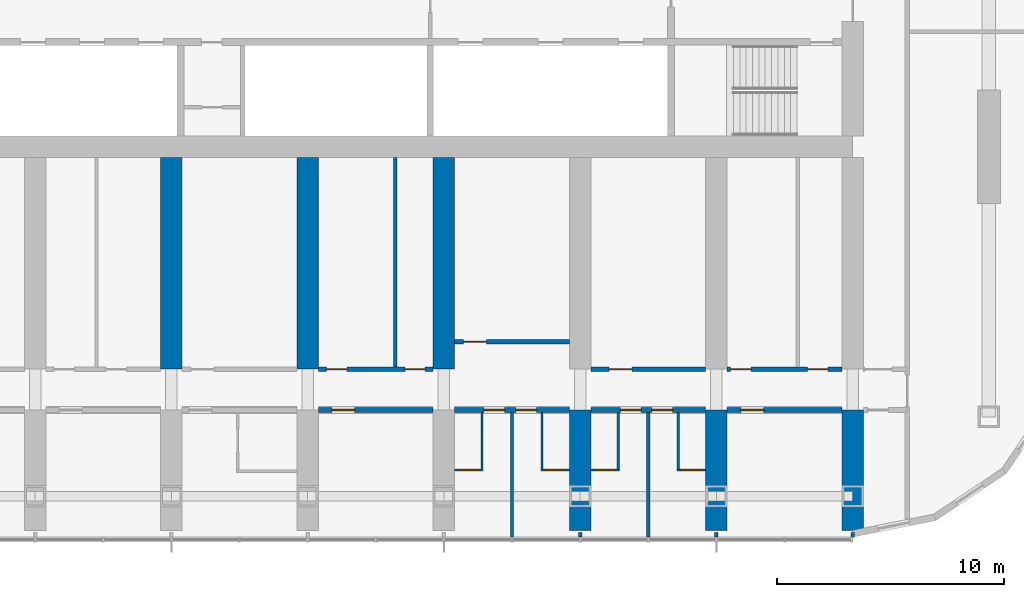
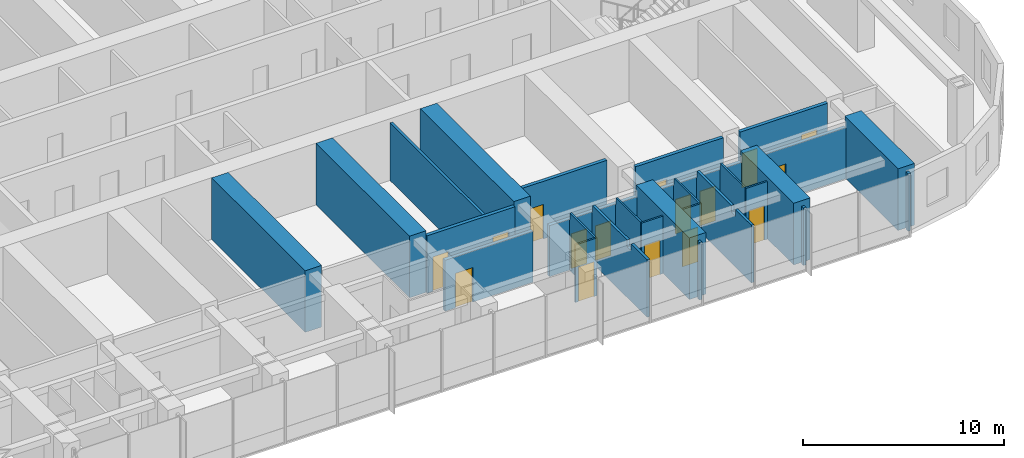
# One storey, part 10 of 21: 28 walls, 16 doors, 16 openings.
"""IFC4 building model written with IfcOpenShell, lengths in metres."""

from ifc_helpers import new_model, si_unit, direction, frame, frame_2d, origin, place, context, subcontext, project, spatial, polyline, rectangle, outline, extrude, material, layer, layer_set, type_object, element, fill, save


model = new_model("IFC4")

# Units and contexts
model_context = context("Model", 3, precision=1e-05, world=origin(), true_north=direction((0.0, 1.0)))
body_context = subcontext(model_context, "Body", "Model", "MODEL_VIEW")
ifc_project = project(units=[si_unit("LENGTHUNIT", "METRE"), si_unit("AREAUNIT", "SQUARE_METRE"), si_unit("VOLUMEUNIT", "CUBIC_METRE"), si_unit("PLANEANGLEUNIT", "RADIAN"), si_unit("MASSUNIT", "GRAM", prefix="KILO")], contexts=[model_context])

# Site, building, storey
site_placement = place(None, origin())
site = spatial("IfcSite", under=ifc_project, at=site_placement, CompositionType="ELEMENT")
building_placement = place(site_placement, origin())
building = spatial("IfcBuilding", under=site, at=building_placement, Name="Orbita Commons", CompositionType="ELEMENT")
storey_placement = place(building_placement, frame((0.0, 0.0, 125.64990234375)))
storey = spatial("IfcBuildingStorey", under=building, at=storey_placement, Name="L31", CompositionType="ELEMENT", Elevation=125.64990234375)

# Wall, opening, door
ifc_material_1 = material(Name="Concrete blockwork", Category="masonry")
ifc_layer_1 = layer(ifc_material_1, 0.199951171875)
ifc_layer_set_1 = layer_set([ifc_layer_1], Name="Concrete blockwork")
wall_type_1 = type_object("IfcWallType", Name="Corridor wall 200 blockwork", PredefinedType="SOLIDWALL", material=ifc_layer_set_1)
wall_1_placement = place(storey_placement, frame((42.47509765625, 14.199951171875, 0.0), z_axis=(0.0, 0.0, 1.0), x_axis=(1.0, 0.0, 0.0)))
wall_1 = element("IfcWall", 1, at=wall_1_placement, inside=storey, type_object=wall_type_1, Name="Corridor wall 200 blockwork L31", PredefinedType="SOLIDWALL", context=body_context, shape_type="SweptSolid", body=[
    extrude(outline(polyline([(0.0, 0.0), (5.0498046875, 0.0), (5.050048828125, 3.10009765625), (0.0, 3.10009765625), (0.0, 0.0)])), frame((0.0, 0.10009765625, 0.0), z_axis=(0.0, -1.0, 0.0), x_axis=(1.0, 0.0, 0.0)), (0.0, 0.0, 1.0), 0.199951171875),
])
opening_1_placement = place(wall_1_placement, frame((0.60009765625, 0.0, 0.0)))
opening_1 = element("IfcOpeningElement", 2, at=opening_1_placement, cuts=wall_1, Name="Opening D06", PredefinedType="OPENING", context=body_context, shape_type="SweptSolid", body=[
    extrude(rectangle(XDim=1.0, YDim=2.10009765625, at=frame_2d((0.5, 1.050048828125))), frame((0.0, 0.10986328125, 0.0), z_axis=(0.0, -1.0, 0.0), x_axis=(1.0, 0.0, 0.0)), (0.0, 0.0, 1.0), 0.219970703125),
])
ifc_material_2 = material(Name="Steel-faced fire door leaf", Category="steel")
door_type_1 = type_object("IfcDoorType", Name="Corridor door 20 min 1000x2100", OperationType="SINGLE_SWING_LEFT", PredefinedType="DOOR", material=ifc_material_2)
door_1_placement = place(opening_1_placement, origin())
door_1 = element("IfcDoor", 3, at=door_1_placement, inside=storey, type_object=door_type_1, Name="Mountain-view lounge L31-S10 door", OperationType="SINGLE_SWING_LEFT", OverallHeight=2.10009765625, OverallWidth=1.0, PredefinedType="DOOR", context=body_context, shape_type="SweptSolid", body=[
    extrude(rectangle(XDim=1.0, YDim=2.10009765625, at=frame_2d((0.5, 1.050048828125))), frame((0.0, 0.02490234375, 0.0), z_axis=(0.0, -1.0, 0.0), x_axis=(1.0, 0.0, 0.0)), (0.0, 0.0, 1.0), 0.050048828125),
])
fill(opening_1, door_1)

# Wall, openings, doors
wall_2_placement = place(storey_placement, frame((48.47509765625, 14.199951171875, 0.0), z_axis=(0.0, 0.0, 1.0), x_axis=(1.0, 0.0, 0.0)))
wall_2 = element("IfcWall", 4, at=wall_2_placement, inside=storey, type_object=wall_type_1, Name="Corridor wall 200 blockwork L31", PredefinedType="SOLIDWALL", context=body_context, shape_type="SweptSolid", body=[
    extrude(outline(polyline([(0.0, 0.0), (5.0498046875, 0.0), (5.050048828125, 3.10009765625), (0.0, 3.10009765625), (0.0, 0.0)])), frame((0.0, 0.10009765625, 0.0), z_axis=(0.0, -1.0, 0.0), x_axis=(1.0, 0.0, 0.0)), (0.0, 0.0, 1.0), 0.199951171875),
])
opening_2_placement = place(wall_2_placement, frame((1.300048828125, 0.0, 0.0)))
opening_2 = element("IfcOpeningElement", 5, at=opening_2_placement, cuts=wall_2, Name="Opening D11", PredefinedType="OPENING", context=body_context, shape_type="SweptSolid", body=[
    extrude(rectangle(XDim=0.89990234375, YDim=2.10009765625, at=frame_2d((0.449951171875, 1.050048828125))), frame((0.0, 0.10986328125, 0.0), z_axis=(0.0, -1.0, 0.0), x_axis=(1.0, 0.0, 0.0)), (0.0, 0.0, 1.0), 0.219970703125),
])
opening_3_placement = place(wall_2_placement, frame((2.699951171875, 0.0, 0.0)))
opening_3 = element("IfcOpeningElement", 6, at=opening_3_placement, cuts=wall_2, Name="Opening D11", PredefinedType="OPENING", context=body_context, shape_type="SweptSolid", body=[
    extrude(rectangle(XDim=0.89990234375, YDim=2.10009765625, at=frame_2d((0.449951171875, 1.050048828125))), frame((0.0, 0.10986328125, 0.0), z_axis=(0.0, -1.0, 0.0), x_axis=(1.0, 0.0, 0.0)), (0.0, 0.0, 1.0), 0.219970703125),
])
ifc_material_3 = material(Name="Steel-faced fire door leaf", Category="steel")
door_type_2 = type_object("IfcDoorType", Name="Corridor door 20 min 900x2100", OperationType="SINGLE_SWING_LEFT", PredefinedType="DOOR", material=ifc_material_3)
door_2_placement = place(opening_2_placement, origin())
door_2 = element("IfcDoor", 7, at=door_2_placement, inside=storey, type_object=door_type_2, Name="Cluster bedroom L31-S12 door", OperationType="SINGLE_SWING_LEFT", OverallHeight=2.10009765625, OverallWidth=0.89990234375, PredefinedType="DOOR", context=body_context, shape_type="SweptSolid", body=[
    extrude(rectangle(XDim=0.89990234375, YDim=2.10009765625, at=frame_2d((0.449951171875, 1.050048828125))), frame((0.0, 0.02490234375, 0.0), z_axis=(0.0, -1.0, 0.0), x_axis=(1.0, 0.0, 0.0)), (0.0, 0.0, 1.0), 0.050048828125),
])
fill(opening_2, door_2)
door_3_placement = place(opening_3_placement, origin())
door_3 = element("IfcDoor", 8, at=door_3_placement, inside=storey, type_object=door_type_2, Name="Cluster bedroom L31-S13 door", OperationType="SINGLE_SWING_LEFT", OverallHeight=2.10009765625, OverallWidth=0.89990234375, PredefinedType="DOOR", context=body_context, shape_type="SweptSolid", body=[
    extrude(rectangle(XDim=0.89990234375, YDim=2.10009765625, at=frame_2d((0.449951171875, 1.050048828125))), frame((0.0, 0.02490234375, 0.0), z_axis=(0.0, -1.0, 0.0), x_axis=(1.0, 0.0, 0.0)), (0.0, 0.0, 1.0), 0.050048828125),
])
fill(opening_3, door_3)

wall_3_placement = place(storey_placement, frame((54.47509765625, 14.199951171875, 0.0), z_axis=(0.0, 0.0, 1.0), x_axis=(1.0, 0.0, 0.0)))
wall_3 = element("IfcWall", 9, at=wall_3_placement, inside=storey, type_object=wall_type_1, Name="Corridor wall 200 blockwork L31", PredefinedType="SOLIDWALL", context=body_context, shape_type="SweptSolid", body=[
    extrude(outline(polyline([(0.0, 0.0), (5.0498046875, 0.0), (5.050048828125, 3.10009765625), (0.0, 3.10009765625), (0.0, 0.0)])), frame((0.0, 0.10009765625, 0.0), z_axis=(0.0, -1.0, 0.0), x_axis=(1.0, 0.0, 0.0)), (0.0, 0.0, 1.0), 0.199951171875),
])
opening_4_placement = place(wall_3_placement, frame((1.300048828125, 0.0, 0.0)))
opening_4 = element("IfcOpeningElement", 10, at=opening_4_placement, cuts=wall_3, Name="Opening D11", PredefinedType="OPENING", context=body_context, shape_type="SweptSolid", body=[
    extrude(rectangle(XDim=0.89990234375, YDim=2.10009765625, at=frame_2d((0.449951171875, 1.050048828125))), frame((0.0, 0.10986328125, 0.0), z_axis=(0.0, -1.0, 0.0), x_axis=(1.0, 0.0, 0.0)), (0.0, 0.0, 1.0), 0.219970703125),
])
opening_5_placement = place(wall_3_placement, frame((2.699951171875, 0.0, 0.0)))
opening_5 = element("IfcOpeningElement", 11, at=opening_5_placement, cuts=wall_3, Name="Opening D11", PredefinedType="OPENING", context=body_context, shape_type="SweptSolid", body=[
    extrude(rectangle(XDim=0.89990234375, YDim=2.10009765625, at=frame_2d((0.449951171875, 1.050048828125))), frame((0.0, 0.10986328125, 0.0), z_axis=(0.0, -1.0, 0.0), x_axis=(1.0, 0.0, 0.0)), (0.0, 0.0, 1.0), 0.219970703125),
])
door_4_placement = place(opening_4_placement, origin())
door_4 = element("IfcDoor", 12, at=door_4_placement, inside=storey, type_object=door_type_2, Name="Cluster bedroom L31-S14 door", OperationType="SINGLE_SWING_LEFT", OverallHeight=2.10009765625, OverallWidth=0.89990234375, PredefinedType="DOOR", context=body_context, shape_type="SweptSolid", body=[
    extrude(rectangle(XDim=0.89990234375, YDim=2.10009765625, at=frame_2d((0.449951171875, 1.050048828125))), frame((0.0, 0.02490234375, 0.0), z_axis=(0.0, -1.0, 0.0), x_axis=(1.0, 0.0, 0.0)), (0.0, 0.0, 1.0), 0.050048828125),
])
fill(opening_4, door_4)
door_5_placement = place(opening_5_placement, origin())
door_5 = element("IfcDoor", 13, at=door_5_placement, inside=storey, type_object=door_type_2, Name="Cluster bedroom L31-S15 door", OperationType="SINGLE_SWING_LEFT", OverallHeight=2.10009765625, OverallWidth=0.89990234375, PredefinedType="DOOR", context=body_context, shape_type="SweptSolid", body=[
    extrude(rectangle(XDim=0.89990234375, YDim=2.10009765625, at=frame_2d((0.449951171875, 1.050048828125))), frame((0.0, 0.02490234375, 0.0), z_axis=(0.0, -1.0, 0.0), x_axis=(1.0, 0.0, 0.0)), (0.0, 0.0, 1.0), 0.050048828125),
])
fill(opening_5, door_5)

# Wall, opening, door
wall_4_placement = place(storey_placement, frame((60.47509765625, 14.199951171875, 0.0), z_axis=(0.0, 0.0, 1.0), x_axis=(1.0, 0.0, 0.0)))
wall_4 = element("IfcWall", 14, at=wall_4_placement, inside=storey, type_object=wall_type_1, Name="Corridor wall 200 blockwork L31", PredefinedType="SOLIDWALL", context=body_context, shape_type="SweptSolid", body=[
    extrude(outline(polyline([(0.0, 0.0), (5.0498046875, 0.0), (5.050048828125, 3.10009765625), (0.0, 3.10009765625), (0.0, 0.0)])), frame((0.0, 0.10009765625, 0.0), z_axis=(0.0, -1.0, 0.0), x_axis=(1.0, 0.0, 0.0)), (0.0, 0.0, 1.0), 0.199951171875),
])
opening_6_placement = place(wall_4_placement, frame((0.60009765625, 0.0, 0.0)))
opening_6 = element("IfcOpeningElement", 15, at=opening_6_placement, cuts=wall_4, Name="Opening D06", PredefinedType="OPENING", context=body_context, shape_type="SweptSolid", body=[
    extrude(rectangle(XDim=1.0, YDim=2.10009765625, at=frame_2d((0.5, 1.050048828125))), frame((0.0, 0.10986328125, 0.0), z_axis=(0.0, -1.0, 0.0), x_axis=(1.0, 0.0, 0.0)), (0.0, 0.0, 1.0), 0.219970703125),
])
door_6_placement = place(opening_6_placement, origin())
door_6 = element("IfcDoor", 16, at=door_6_placement, inside=storey, type_object=door_type_1, Name="Cluster kitchen-diner L31-S16 door", OperationType="SINGLE_SWING_LEFT", OverallHeight=2.10009765625, OverallWidth=1.0, PredefinedType="DOOR", context=body_context, shape_type="SweptSolid", body=[
    extrude(rectangle(XDim=1.0, YDim=2.10009765625, at=frame_2d((0.5, 1.050048828125))), frame((0.0, 0.02490234375, 0.0), z_axis=(0.0, -1.0, 0.0), x_axis=(1.0, 0.0, 0.0)), (0.0, 0.0, 1.0), 0.050048828125),
])
fill(opening_6, door_6)

# Wall, openings, doors
ifc_material_4 = material(Name="Hollow concrete block 200", Category="concrete")
ifc_layer_2 = layer(ifc_material_4, 0.199951171875)
ifc_layer_set_2 = layer_set([ifc_layer_2], Name="Hollow concrete block 200")
wall_type_2 = type_object("IfcWallType", Name="Corridor wall 200 hollow concrete block", PredefinedType="SOLIDWALL", material=ifc_layer_set_2)
wall_5_placement = place(storey_placement, frame((42.47509765625, 16.0, 0.0), z_axis=(0.0, 0.0, 1.0), x_axis=(1.0, 0.0, 0.0)))
wall_5 = element("IfcWall", 17, at=wall_5_placement, inside=storey, type_object=wall_type_2, Name="Corridor wall 200 hollow concrete block L31", PredefinedType="SOLIDWALL", context=body_context, shape_type="SweptSolid", body=[
    extrude(rectangle(XDim=5.0498046875, YDim=0.199951171875, at=frame_2d((2.52490234375, 0.0))), origin(), (0.0, 0.0, 1.0), 3.5),
])
opening_7_placement = place(wall_5_placement, frame((0.35009765625, 0.0, 0.0)))
opening_7 = element("IfcOpeningElement", 18, at=opening_7_placement, cuts=wall_5, Name="Opening D11", PredefinedType="OPENING", context=body_context, shape_type="SweptSolid", body=[
    extrude(rectangle(XDim=0.89990234375, YDim=2.10009765625, at=frame_2d((0.449951171875, 1.050048828125))), frame((0.0, 0.10986328125, 0.0), z_axis=(0.0, -1.0, 0.0), x_axis=(1.0, 0.0, 0.0)), (0.0, 0.0, 1.0), 0.219970703125),
])
opening_8_placement = place(wall_5_placement, frame((3.804931640625, 0.0, 0.0)))
opening_8 = element("IfcOpeningElement", 19, at=opening_8_placement, cuts=wall_5, Name="Opening D11", PredefinedType="OPENING", context=body_context, shape_type="SweptSolid", body=[
    extrude(rectangle(XDim=0.89990234375, YDim=2.10009765625, at=frame_2d((0.449951171875, 1.050048828125))), frame((0.0, 0.10986328125, 0.0), z_axis=(0.0, -1.0, 0.0), x_axis=(1.0, 0.0, 0.0)), (0.0, 0.0, 1.0), 0.219970703125),
])
door_7_placement = place(opening_7_placement, origin())
door_7 = element("IfcDoor", 20, at=door_7_placement, inside=storey, type_object=door_type_2, Name="Meeting room L31-BDS42 door", OperationType="SINGLE_SWING_LEFT", OverallHeight=2.10009765625, OverallWidth=0.89990234375, PredefinedType="DOOR", context=body_context, shape_type="SweptSolid", body=[
    extrude(rectangle(XDim=0.89990234375, YDim=2.10009765625, at=frame_2d((0.449951171875, 1.050048828125))), frame((0.0, 0.02490234375, 0.0), z_axis=(0.0, -1.0, 0.0), x_axis=(1.0, 0.0, 0.0)), (0.0, 0.0, 1.0), 0.050048828125),
])
fill(opening_7, door_7)
door_8_placement = place(opening_8_placement, origin())
door_8 = element("IfcDoor", 21, at=door_8_placement, inside=storey, type_object=door_type_2, Name="Water heater cupboard L31-BDS42n door", OperationType="SINGLE_SWING_LEFT", OverallHeight=2.10009765625, OverallWidth=0.89990234375, PredefinedType="DOOR", context=body_context, shape_type="SweptSolid", body=[
    extrude(rectangle(XDim=0.89990234375, YDim=2.10009765625, at=frame_2d((0.449951171875, 1.050048828125))), frame((0.0, 0.02490234375, 0.0), z_axis=(0.0, -1.0, 0.0), x_axis=(1.0, 0.0, 0.0)), (0.0, 0.0, 1.0), 0.050048828125),
])
fill(opening_8, door_8)

# Wall, opening, door
wall_6_placement = place(storey_placement, frame((54.47509765625, 16.0, 0.0), z_axis=(0.0, 0.0, 1.0), x_axis=(1.0, 0.0, 0.0)))
wall_6 = element("IfcWall", 22, at=wall_6_placement, inside=storey, type_object=wall_type_2, Name="Corridor wall 200 hollow concrete block L31", PredefinedType="SOLIDWALL", context=body_context, shape_type="SweptSolid", body=[
    extrude(rectangle(XDim=5.0498046875, YDim=0.199951171875, at=frame_2d((2.52490234375, 0.0))), origin(), (0.0, 0.0, 1.0), 3.5),
])
opening_9_placement = place(wall_6_placement, frame((0.800048828125, 0.0, 0.0)))
opening_9 = element("IfcOpeningElement", 23, at=opening_9_placement, cuts=wall_6, Name="Opening D06", PredefinedType="OPENING", context=body_context, shape_type="SweptSolid", body=[
    extrude(rectangle(XDim=1.0, YDim=2.10009765625, at=frame_2d((0.5, 1.050048828125))), frame((0.0, 0.10986328125, 0.0), z_axis=(0.0, -1.0, 0.0), x_axis=(1.0, 0.0, 0.0)), (0.0, 0.0, 1.0), 0.219970703125),
])
door_9_placement = place(opening_9_placement, origin())
door_9 = element("IfcDoor", 24, at=door_9_placement, inside=storey, type_object=door_type_1, Name="Cluster pantry L31-BDS54 door", OperationType="SINGLE_SWING_LEFT", OverallHeight=2.10009765625, OverallWidth=1.0, PredefinedType="DOOR", context=body_context, shape_type="SweptSolid", body=[
    extrude(rectangle(XDim=1.0, YDim=2.10009765625, at=frame_2d((0.5, 1.050048828125))), frame((0.0, 0.02490234375, 0.0), z_axis=(0.0, -1.0, 0.0), x_axis=(1.0, 0.0, 0.0)), (0.0, 0.0, 1.0), 0.050048828125),
])
fill(opening_9, door_9)

# Wall, openings, doors
wall_7_placement = place(storey_placement, frame((60.47509765625, 16.0, 0.0), z_axis=(0.0, 0.0, 1.0), x_axis=(1.0, 0.0, 0.0)))
wall_7 = element("IfcWall", 25, at=wall_7_placement, inside=storey, type_object=wall_type_2, Name="Corridor wall 200 hollow concrete block L31", PredefinedType="SOLIDWALL", context=body_context, shape_type="SweptSolid", body=[
    extrude(rectangle(XDim=5.0498046875, YDim=0.199951171875, at=frame_2d((2.52490234375, 0.0))), origin(), (0.0, 0.0, 1.0), 3.5),
])
opening_10_placement = place(wall_7_placement, frame((0.14990234375, 0.0, 0.0)))
opening_10 = element("IfcOpeningElement", 26, at=opening_10_placement, cuts=wall_7, Name="Opening D11", PredefinedType="OPENING", context=body_context, shape_type="SweptSolid", body=[
    extrude(rectangle(XDim=0.89990234375, YDim=2.10009765625, at=frame_2d((0.449951171875, 1.050048828125))), frame((0.0, 0.10986328125, 0.0), z_axis=(0.0, -1.0, 0.0), x_axis=(1.0, 0.0, 0.0)), (0.0, 0.0, 1.0), 0.219970703125),
])
opening_11_placement = place(wall_7_placement, frame((3.534912109375, 0.0, 0.0)))
opening_11 = element("IfcOpeningElement", 27, at=opening_11_placement, cuts=wall_7, Name="Opening D11", PredefinedType="OPENING", context=body_context, shape_type="SweptSolid", body=[
    extrude(rectangle(XDim=0.89990234375, YDim=2.10009765625, at=frame_2d((0.449951171875, 1.050048828125))), frame((0.0, 0.10986328125, 0.0), z_axis=(0.0, -1.0, 0.0), x_axis=(1.0, 0.0, 0.0)), (0.0, 0.0, 1.0), 0.219970703125),
])
door_10_placement = place(opening_10_placement, origin())
door_10 = element("IfcDoor", 28, at=door_10_placement, inside=storey, type_object=door_type_2, Name="IT and print room L31-BDS60 door", OperationType="SINGLE_SWING_LEFT", OverallHeight=2.10009765625, OverallWidth=0.89990234375, PredefinedType="DOOR", context=body_context, shape_type="SweptSolid", body=[
    extrude(rectangle(XDim=0.89990234375, YDim=2.10009765625, at=frame_2d((0.449951171875, 1.050048828125))), frame((0.0, 0.02490234375, 0.0), z_axis=(0.0, -1.0, 0.0), x_axis=(1.0, 0.0, 0.0)), (0.0, 0.0, 1.0), 0.050048828125),
])
fill(opening_10, door_10)
door_11_placement = place(opening_11_placement, origin())
door_11 = element("IfcDoor", 29, at=door_11_placement, inside=storey, type_object=door_type_2, Name="Battery and UPS room L31-BDS60n door", OperationType="SINGLE_SWING_LEFT", OverallHeight=2.10009765625, OverallWidth=0.89990234375, PredefinedType="DOOR", context=body_context, shape_type="SweptSolid", body=[
    extrude(rectangle(XDim=0.89990234375, YDim=2.10009765625, at=frame_2d((0.449951171875, 1.050048828125))), frame((0.0, 0.02490234375, 0.0), z_axis=(0.0, -1.0, 0.0), x_axis=(1.0, 0.0, 0.0)), (0.0, 0.0, 1.0), 0.050048828125),
])
fill(opening_11, door_11)

# Wall, opening, door
wall_8_placement = place(storey_placement, frame((48.47509765625, 17.199951171875, 0.0), z_axis=(0.0, 0.0, 1.0), x_axis=(1.0, 0.0, 0.0)))
wall_8 = element("IfcWall", 30, at=wall_8_placement, inside=storey, type_object=wall_type_2, Name="Corridor wall 200 hollow concrete block L31", PredefinedType="SOLIDWALL", context=body_context, shape_type="SweptSolid", body=[
    extrude(rectangle(XDim=5.0498046875, YDim=0.199951171875, at=frame_2d((2.52490234375, 0.0))), origin(), (0.0, 0.0, 1.0), 3.5),
])
opening_12_placement = place(wall_8_placement, frame((0.39990234375, 0.0, 0.0)))
opening_12 = element("IfcOpeningElement", 31, at=opening_12_placement, cuts=wall_8, Name="Opening D06", PredefinedType="OPENING", context=body_context, shape_type="SweptSolid", body=[
    extrude(rectangle(XDim=1.0, YDim=2.10009765625, at=frame_2d((0.5, 1.050048828125))), frame((0.0, 0.10986328125, 0.0), z_axis=(0.0, -1.0, 0.0), x_axis=(1.0, 0.0, 0.0)), (0.0, 0.0, 1.0), 0.219970703125),
])
door_12_placement = place(opening_12_placement, origin())
door_12 = element("IfcDoor", 32, at=door_12_placement, inside=storey, type_object=door_type_1, Name="Drying room L31-BDS48 door", OperationType="SINGLE_SWING_LEFT", OverallHeight=2.10009765625, OverallWidth=1.0, PredefinedType="DOOR", context=body_context, shape_type="SweptSolid", body=[
    extrude(rectangle(XDim=1.0, YDim=2.10009765625, at=frame_2d((0.5, 1.050048828125))), frame((0.0, 0.02490234375, 0.0), z_axis=(0.0, -1.0, 0.0), x_axis=(1.0, 0.0, 0.0)), (0.0, 0.0, 1.0), 0.050048828125),
])
fill(opening_12, door_12)

# Walls
ifc_material_5 = material(Name="Concrete C50/60", Category="concrete")
ifc_layer_3 = layer(ifc_material_5, 0.949951171875)
ifc_layer_set_3 = layer_set([ifc_layer_3], Name="Concrete C50/60")
wall_type_3 = type_object("IfcWallType", Name="Cross wall 950 C50/60", PredefinedType="SHEAR", material=ifc_layer_set_3)
for number, where, z_axis, x_axis, name in (
    (33, (36.0, 16.0, 0.0), (0.0, 0.0, 1.0), (0.0, 1.0, 0.0), "Cross wall 7 south inner L31"),
    (34, (42.0, 16.0, 0.0), (0.0, 0.0, 1.0), (0.0, 1.0, 0.0), "Cross wall 8 south inner L31"),
    (35, (48.0, 16.0, 0.0), (0.0, 0.0, 1.0), (0.0, 1.0, 0.0), "Cross wall 9 south inner L31"),
):
    element("IfcWall", number, at=place(storey_placement, frame(where, z_axis=z_axis, x_axis=x_axis)), inside=storey, type_object=wall_type_3, Name=name, PredefinedType="SHEAR", context=body_context, shape_type="SweptSolid", body=[
        extrude(rectangle(XDim=9.324951171875, YDim=0.949951171875, at=frame_2d((4.66259765625, 0.0))), origin(), (0.0, 0.0, 1.0), 3.75),
    ])
for number, where, z_axis, x_axis, name in (
    (36, (54.0, 8.89990234375, 0.0), (0.0, 0.0, 1.0), (0.0, 1.0, 0.0), "Cross wall 10 south outer L31"),
    (37, (60.0, 8.89990234375, 0.0), (0.0, 0.0, 1.0), (0.0, 1.0, 0.0), "Cross wall 11 south outer L31"),
    (38, (66.0, 8.89990234375, 0.0), (0.0, 0.0, 1.0), (0.0, 1.0, 0.0), "Cross wall 12 south outer L31"),
):
    element("IfcWall", number, at=place(storey_placement, frame(where, z_axis=z_axis, x_axis=x_axis)), inside=storey, type_object=wall_type_3, Name=name, PredefinedType="SHEAR", context=body_context, shape_type="SweptSolid", body=[
        extrude(rectangle(XDim=5.300048828125, YDim=0.949951171875, at=frame_2d((2.64990234375, 0.0))), origin(), (0.0, 0.0, 1.0), 3.75),
    ])

# Wall, opening, door
ifc_material_6 = material(Name="Moisture-resistant plasterboard on steel studs", Category="steel")
ifc_layer_4 = layer(ifc_material_6, 0.10009765625)
ifc_layer_set_4 = layer_set([ifc_layer_4], Name="Moisture-resistant plasterboard on steel studs")
wall_type_4 = type_object("IfcWallType", Name="En-suite partition 100", PredefinedType="PARTITIONING", material=ifc_layer_set_4)
wall_9_placement = place(storey_placement, frame((49.72509765625, 11.558349609375, 0.0), z_axis=(0.0, 0.0, 1.0), x_axis=(-1.0, 0.0, 0.0)))
wall_9 = element("IfcWall", 39, at=wall_9_placement, inside=storey, type_object=wall_type_4, Name="En-suite partition 100 L31", PredefinedType="PARTITIONING", context=body_context, shape_type="SweptSolid", body=[
    extrude(rectangle(XDim=1.25, YDim=0.10009765625, at=frame_2d((0.625, 0.0))), origin(), (0.0, 0.0, 1.0), 3.5),
])
opening_13_placement = place(wall_9_placement, frame((0.175048828125, 0.0, 0.0)))
opening_13 = element("IfcOpeningElement", 40, at=opening_13_placement, cuts=wall_9, Name="Opening D09", PredefinedType="OPENING", context=body_context, shape_type="SweptSolid", body=[
    extrude(rectangle(XDim=0.89990234375, YDim=2.10009765625, at=frame_2d((0.449951171875, 1.050048828125))), frame((0.0, 0.06005859375, 0.0), z_axis=(0.0, -1.0, 0.0), x_axis=(1.0, 0.0, 0.0)), (0.0, 0.0, 1.0), 0.1201171875),
])
ifc_material_7 = material(Name="Laminated timber door leaf", Category="wood")
door_type_3 = type_object("IfcDoorType", Name="En-suite door 900x2100", OperationType="SINGLE_SWING_RIGHT", PredefinedType="DOOR", material=ifc_material_7)
door_13_placement = place(opening_13_placement, origin())
door_13 = element("IfcDoor", 41, at=door_13_placement, inside=storey, type_object=door_type_3, Name="En-suite L31-S12 door", OperationType="SINGLE_SWING_RIGHT", OverallHeight=2.10009765625, OverallWidth=0.89990234375, PredefinedType="DOOR", context=body_context, shape_type="SweptSolid", body=[
    extrude(rectangle(XDim=0.89990234375, YDim=2.10009765625, at=frame_2d((0.449951171875, 1.050048828125))), frame((0.0, 0.02490234375, 0.0), z_axis=(0.0, -1.0, 0.0), x_axis=(1.0, 0.0, 0.0)), (0.0, 0.0, 1.0), 0.050048828125),
])
fill(opening_13, door_13)

# Wall
wall_10_placement = place(storey_placement, frame((49.675048828125, 11.6083984375, 0.0), z_axis=(0.0, 0.0, 1.0), x_axis=(0.0, 1.0, 0.0)))
element("IfcWall", 42, at=wall_10_placement, inside=storey, type_object=wall_type_4, Name="En-suite partition 100 L31", PredefinedType="PARTITIONING", context=body_context, shape_type="SweptSolid", body=[
    extrude(outline(polyline([(0.0, 0.0), (2.49169921875, 0.0), (2.49169921875, 3.10009765625), (2.443603515625, 3.10009765625), (2.441650390625, 3.5), (0.0, 3.5), (0.0, 0.0)])), frame((0.0, 0.050048828125, 0.0), z_axis=(0.0, -1.0, 0.0), x_axis=(1.0, 0.0, 0.0)), (0.0, 0.0, 1.0), 0.10009765625),
])

# Wall, opening, door
wall_11_placement = place(storey_placement, frame((53.52490234375, 11.558349609375, 0.0), z_axis=(0.0, 0.0, 1.0), x_axis=(-1.0, 0.0, 0.0)))
wall_11 = element("IfcWall", 43, at=wall_11_placement, inside=storey, type_object=wall_type_4, Name="En-suite partition 100 L31", PredefinedType="PARTITIONING", context=body_context, shape_type="SweptSolid", body=[
    extrude(rectangle(XDim=1.25, YDim=0.10009765625, at=frame_2d((0.625, 0.0))), origin(), (0.0, 0.0, 1.0), 3.5),
])
opening_14_placement = place(wall_11_placement, frame((0.175048828125, 0.0, 0.0)))
opening_14 = element("IfcOpeningElement", 44, at=opening_14_placement, cuts=wall_11, Name="Opening D09", PredefinedType="OPENING", context=body_context, shape_type="SweptSolid", body=[
    extrude(rectangle(XDim=0.89990234375, YDim=2.10009765625, at=frame_2d((0.449951171875, 1.050048828125))), frame((0.0, 0.06005859375, 0.0), z_axis=(0.0, -1.0, 0.0), x_axis=(1.0, 0.0, 0.0)), (0.0, 0.0, 1.0), 0.1201171875),
])
door_14_placement = place(opening_14_placement, origin())
door_14 = element("IfcDoor", 45, at=door_14_placement, inside=storey, type_object=door_type_3, Name="En-suite L31-S13 door", OperationType="SINGLE_SWING_RIGHT", OverallHeight=2.10009765625, OverallWidth=0.89990234375, PredefinedType="DOOR", context=body_context, shape_type="SweptSolid", body=[
    extrude(rectangle(XDim=0.89990234375, YDim=2.10009765625, at=frame_2d((0.449951171875, 1.050048828125))), frame((0.0, 0.02490234375, 0.0), z_axis=(0.0, -1.0, 0.0), x_axis=(1.0, 0.0, 0.0)), (0.0, 0.0, 1.0), 0.050048828125),
])
fill(opening_14, door_14)

# Wall
wall_12_placement = place(storey_placement, frame((52.324951171875, 11.6083984375, 0.0), z_axis=(0.0, 0.0, 1.0), x_axis=(0.0, 1.0, 0.0)))
element("IfcWall", 46, at=wall_12_placement, inside=storey, type_object=wall_type_4, Name="En-suite partition 100 L31", PredefinedType="PARTITIONING", context=body_context, shape_type="SweptSolid", body=[
    extrude(outline(polyline([(0.0, 0.0), (2.49169921875, 0.0), (2.49169921875, 3.10009765625), (2.443603515625, 3.10009765625), (2.441650390625, 3.5), (0.0, 3.5), (0.0, 0.0)])), frame((0.0, 0.050048828125, 0.0), z_axis=(0.0, -1.0, 0.0), x_axis=(1.0, 0.0, 0.0)), (0.0, 0.0, 1.0), 0.10009765625),
])

# Wall, opening, door
wall_13_placement = place(storey_placement, frame((55.72509765625, 11.558349609375, 0.0), z_axis=(0.0, 0.0, 1.0), x_axis=(-1.0, 0.0, 0.0)))
wall_13 = element("IfcWall", 47, at=wall_13_placement, inside=storey, type_object=wall_type_4, Name="En-suite partition 100 L31", PredefinedType="PARTITIONING", context=body_context, shape_type="SweptSolid", body=[
    extrude(rectangle(XDim=1.25, YDim=0.10009765625, at=frame_2d((0.625, 0.0))), origin(), (0.0, 0.0, 1.0), 3.5),
])
opening_15_placement = place(wall_13_placement, frame((0.175048828125, 0.0, 0.0)))
opening_15 = element("IfcOpeningElement", 48, at=opening_15_placement, cuts=wall_13, Name="Opening D09", PredefinedType="OPENING", context=body_context, shape_type="SweptSolid", body=[
    extrude(rectangle(XDim=0.89990234375, YDim=2.10009765625, at=frame_2d((0.449951171875, 1.050048828125))), frame((0.0, 0.06005859375, 0.0), z_axis=(0.0, -1.0, 0.0), x_axis=(1.0, 0.0, 0.0)), (0.0, 0.0, 1.0), 0.1201171875),
])
door_15_placement = place(opening_15_placement, origin())
door_15 = element("IfcDoor", 49, at=door_15_placement, inside=storey, type_object=door_type_3, Name="En-suite L31-S14 door", OperationType="SINGLE_SWING_RIGHT", OverallHeight=2.10009765625, OverallWidth=0.89990234375, PredefinedType="DOOR", context=body_context, shape_type="SweptSolid", body=[
    extrude(rectangle(XDim=0.89990234375, YDim=2.10009765625, at=frame_2d((0.449951171875, 1.050048828125))), frame((0.0, 0.02490234375, 0.0), z_axis=(0.0, -1.0, 0.0), x_axis=(1.0, 0.0, 0.0)), (0.0, 0.0, 1.0), 0.050048828125),
])
fill(opening_15, door_15)

# Wall
wall_14_placement = place(storey_placement, frame((55.675048828125, 11.6083984375, 0.0), z_axis=(0.0, 0.0, 1.0), x_axis=(0.0, 1.0, 0.0)))
element("IfcWall", 50, at=wall_14_placement, inside=storey, type_object=wall_type_4, Name="En-suite partition 100 L31", PredefinedType="PARTITIONING", context=body_context, shape_type="SweptSolid", body=[
    extrude(outline(polyline([(0.0, 0.0), (2.49169921875, 0.0), (2.49169921875, 3.10009765625), (2.443603515625, 3.10009765625), (2.441650390625, 3.5), (0.0, 3.5), (0.0, 0.0)])), frame((0.0, 0.050048828125, 0.0), z_axis=(0.0, -1.0, 0.0), x_axis=(1.0, 0.0, 0.0)), (0.0, 0.0, 1.0), 0.10009765625),
])

# Wall, opening, door
wall_15_placement = place(storey_placement, frame((59.52490234375, 11.558349609375, 0.0), z_axis=(0.0, 0.0, 1.0), x_axis=(-1.0, 0.0, 0.0)))
wall_15 = element("IfcWall", 51, at=wall_15_placement, inside=storey, type_object=wall_type_4, Name="En-suite partition 100 L31", PredefinedType="PARTITIONING", context=body_context, shape_type="SweptSolid", body=[
    extrude(rectangle(XDim=1.25, YDim=0.10009765625, at=frame_2d((0.625, 0.0))), origin(), (0.0, 0.0, 1.0), 3.5),
])
opening_16_placement = place(wall_15_placement, frame((0.175048828125, 0.0, 0.0)))
opening_16 = element("IfcOpeningElement", 52, at=opening_16_placement, cuts=wall_15, Name="Opening D09", PredefinedType="OPENING", context=body_context, shape_type="SweptSolid", body=[
    extrude(rectangle(XDim=0.89990234375, YDim=2.10009765625, at=frame_2d((0.449951171875, 1.050048828125))), frame((0.0, 0.06005859375, 0.0), z_axis=(0.0, -1.0, 0.0), x_axis=(1.0, 0.0, 0.0)), (0.0, 0.0, 1.0), 0.1201171875),
])
door_16_placement = place(opening_16_placement, origin())
door_16 = element("IfcDoor", 53, at=door_16_placement, inside=storey, type_object=door_type_3, Name="En-suite L31-S15 door", OperationType="SINGLE_SWING_RIGHT", OverallHeight=2.10009765625, OverallWidth=0.89990234375, PredefinedType="DOOR", context=body_context, shape_type="SweptSolid", body=[
    extrude(rectangle(XDim=0.89990234375, YDim=2.10009765625, at=frame_2d((0.449951171875, 1.050048828125))), frame((0.0, 0.02490234375, 0.0), z_axis=(0.0, -1.0, 0.0), x_axis=(1.0, 0.0, 0.0)), (0.0, 0.0, 1.0), 0.050048828125),
])
fill(opening_16, door_16)

# Walls
wall_16_placement = place(storey_placement, frame((58.324951171875, 11.6083984375, 0.0), z_axis=(0.0, 0.0, 1.0), x_axis=(0.0, 1.0, 0.0)))
element("IfcWall", 54, at=wall_16_placement, inside=storey, type_object=wall_type_4, Name="En-suite partition 100 L31", PredefinedType="PARTITIONING", context=body_context, shape_type="SweptSolid", body=[
    extrude(outline(polyline([(0.0, 0.0), (2.49169921875, 0.0), (2.49169921875, 3.10009765625), (2.443603515625, 3.10009765625), (2.441650390625, 3.5), (0.0, 3.5), (0.0, 0.0)])), frame((0.0, 0.050048828125, 0.0), z_axis=(0.0, -1.0, 0.0), x_axis=(1.0, 0.0, 0.0)), (0.0, 0.0, 1.0), 0.10009765625),
])
ifc_material_8 = material(Name="Gypsum plasterboard on steel studs", Category="steel")
ifc_layer_5 = layer(ifc_material_8, 0.14990234375)
ifc_layer_set_5 = layer_set([ifc_layer_5], Name="Gypsum plasterboard on steel studs")
wall_type_5 = type_object("IfcWallType", Name="Partition 150 plasterboard", PredefinedType="PARTITIONING", material=ifc_layer_set_5)
wall_17_placement = place(storey_placement, frame((45.85498046875, 16.10009765625, 0.0), z_axis=(0.0, 0.0, 1.0), x_axis=(0.0, 1.0, 0.0)))
element("IfcWall", 55, at=wall_17_placement, inside=storey, type_object=wall_type_5, Name="Partition 150 plasterboard L31", PredefinedType="PARTITIONING", context=body_context, shape_type="SweptSolid", body=[
    extrude(rectangle(XDim=9.224853515625, YDim=0.14990234375, at=frame_2d((4.6123046875, 0.0))), origin(), (0.0, 0.0, 1.0), 3.5),
])
for number, where, z_axis, x_axis, name in (
    (56, (54.0, 8.800048828125, 0.0), (0.0, 0.0, 1.0), (0.0, -1.0, 0.0), "Partition 150 plasterboard L31"),
    (57, (60.0, 8.800048828125, 0.0), (0.0, 0.0, 1.0), (0.0, -1.0, 0.0), "Partition 150 plasterboard L31"),
):
    element("IfcWall", number, at=place(storey_placement, frame(where, z_axis=z_axis, x_axis=x_axis)), inside=storey, type_object=wall_type_5, Name=name, PredefinedType="PARTITIONING", context=body_context, shape_type="SweptSolid", body=[
        extrude(rectangle(XDim=0.18994140625, YDim=0.14990234375, at=frame_2d((0.094970703125, 0.0))), origin(), (0.0, 0.0, 1.0), 3.5),
    ])
wall_18_placement = place(storey_placement, frame((66.0, 8.800048828125, 0.0), z_axis=(0.0, 0.0, 1.0), x_axis=(0.0, -1.0, 0.0)))
element("IfcWall", 58, at=wall_18_placement, inside=storey, type_object=wall_type_5, Name="Partition 150 plasterboard L31", PredefinedType="PARTITIONING", context=body_context, shape_type="SweptSolid", body=[
    extrude(rectangle(XDim=0.219970703125, YDim=0.14990234375, at=frame_2d((0.10986328125, 0.0))), origin(), (0.0, 0.0, 1.0), 3.5),
])
ifc_material_9 = material(Name="Gypsum plasterboard on steel studs", Category="steel")
ifc_layer_6 = layer(ifc_material_9, 0.14990234375)
ifc_layer_set_6 = layer_set([ifc_layer_6], Name="Gypsum plasterboard on steel studs")
wall_type_6 = type_object("IfcWallType", Name="Party wall 150 plasterboard", PredefinedType="PARTITIONING", material=ifc_layer_set_6)
for number, where, z_axis, x_axis, name in (
    (59, (51.0, 8.610107421875, 0.0), (0.0, 0.0, 1.0), (0.0, 1.0, 0.0), "Party wall 150 plasterboard L31"),
    (60, (57.0, 8.610107421875, 0.0), (0.0, 0.0, 1.0), (0.0, 1.0, 0.0), "Party wall 150 plasterboard L31"),
):
    element("IfcWall", number, at=place(storey_placement, frame(where, z_axis=z_axis, x_axis=x_axis)), inside=storey, type_object=wall_type_6, Name=name, PredefinedType="PARTITIONING", context=body_context, shape_type="SweptSolid", body=[
        extrude(outline(polyline([(0.0, 0.0), (5.489990234375, 0.0), (5.489990234375, 3.10009765625), (5.44189453125, 3.10009765625), (5.43994140625, 3.5), (1.991943359375, 3.5), (1.989990234375, 3.10009765625), (1.592041015625, 3.10009765625), (1.590087890625, 3.5), (0.0, 3.5), (0.0, 0.0)])), frame((0.0, 0.074951171875, 0.0), z_axis=(0.0, -1.0, 0.0), x_axis=(1.0, 0.0, 0.0)), (0.0, 0.0, 1.0), 0.14990234375),
    ])

save(model, "model.ifc")
